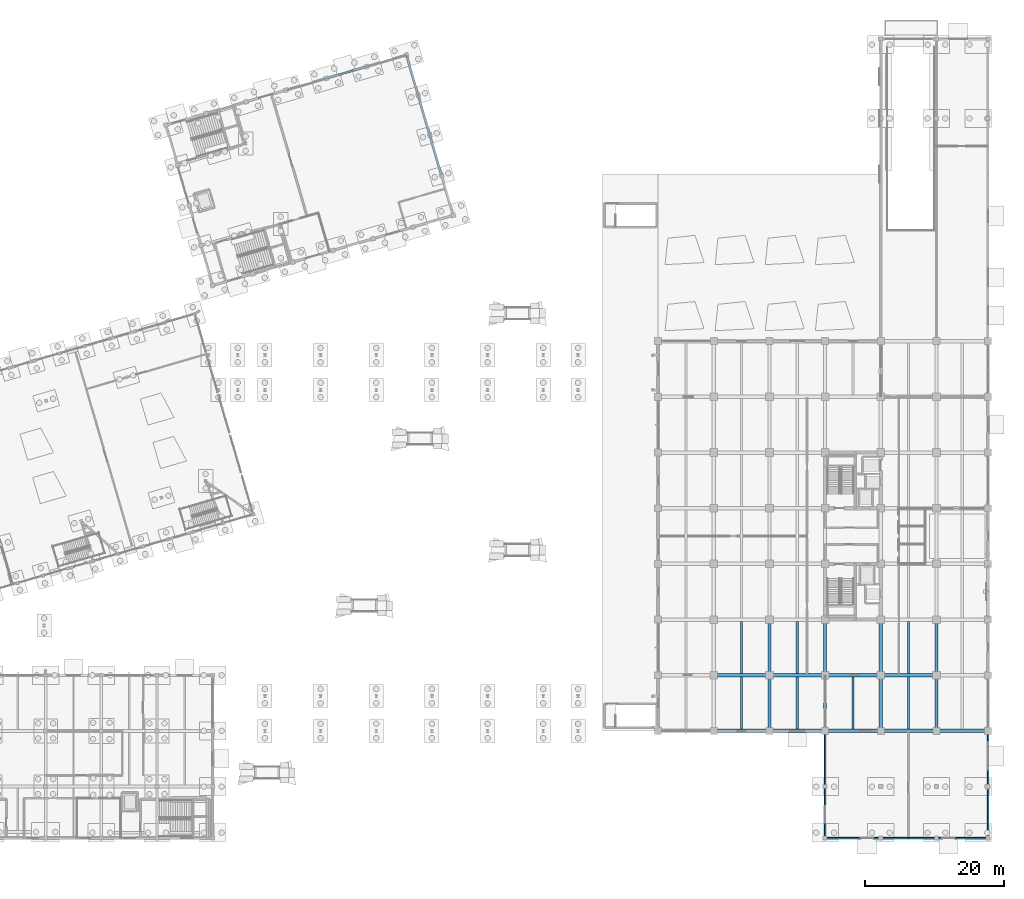
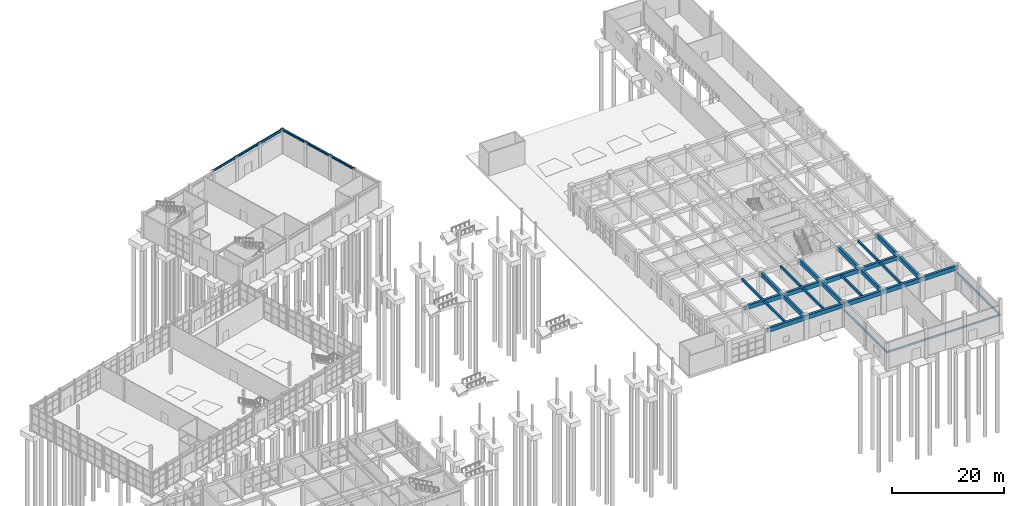
# One storey, part 53 of 90: 34 beams.
"""IFC4 building model written with IfcOpenShell, lengths in metres."""

from ifc_helpers import new_model, si_unit, direction, frame, origin, origin_2d, place, context, subcontext, project, spatial, rectangle, i_section, extrude, material, material_profile, profile_set, type_object, element, save


model = new_model("IFC4")

# Units and contexts
model_context = context("Model", 3, precision=1e-05, world=origin(), true_north=direction((0.0, 1.0)))
body_context = subcontext(model_context, "Body", "Model", "MODEL_VIEW")
ifc_project = project(units=[si_unit("LENGTHUNIT", "METRE"), si_unit("AREAUNIT", "SQUARE_METRE"), si_unit("VOLUMEUNIT", "CUBIC_METRE"), si_unit("PLANEANGLEUNIT", "RADIAN"), si_unit("MASSUNIT", "GRAM", prefix="KILO")], contexts=[model_context])

# Site, building, storey
site_placement = place(None, origin())
site = spatial("IfcSite", under=ifc_project, at=site_placement, CompositionType="ELEMENT")
building_placement = place(site_placement, origin())
building = spatial("IfcBuilding", under=site, at=building_placement, Name="Canggui Botanical Conservatory", CompositionType="ELEMENT")
storey_placement = place(building_placement, origin())
storey = spatial("IfcBuildingStorey", under=building, at=storey_placement, Name="L01", CompositionType="ELEMENT", Elevation=0.0)

# Beams
ifc_material_1 = material(Name="Steel Q355B", Category="steel")
ifc_material_profile_1 = material_profile(ifc_material_1, i_section(OverallWidth=0.300048828125, OverallDepth=0.5, WebThickness=0.010986328125, FlangeThickness=0.01806640625, FilletRadius=0.02392578125, at=origin_2d()), Name="HM 500x300x11x18")
ifc_profile_set_1 = profile_set([ifc_material_profile_1], Name="Steel Q355B")
beam_type_1 = type_object("IfcBeamType", Name="BM-GL01", PredefinedType="BEAM", material=ifc_profile_set_1)
beam_1_placement = place(storey_placement, frame((82.320068359375, 119.760009765625, 5.14990234375), z_axis=(0.960003190047, 0.279989062464, 0.0), x_axis=(-0.279989062464, 0.960003190047, 0.0)))
element("IfcBeam", 1, at=beam_1_placement, inside=storey, type_object=beam_type_1, Name="Auditorium Perimeter Steel Girder 5-1", PredefinedType="BEAM", context=body_context, shape_type="SweptSolid", body=[
    extrude(i_section(OverallWidth=0.300048828125, OverallDepth=0.5, WebThickness=0.010986328125, FlangeThickness=0.01806640625, FilletRadius=0.02392578125, at=origin_2d()), origin(), (0.0, 0.0, 1.0), 6.0),
])
ifc_material_profile_2 = material_profile(ifc_material_1, i_section(OverallWidth=0.300048828125, OverallDepth=0.449951171875, WebThickness=0.010986328125, FlangeThickness=0.01806640625, FilletRadius=0.02392578125, at=origin_2d()), Name="HM 450x300x11x18")
ifc_profile_set_2 = profile_set([ifc_material_profile_2], Name="Steel Q355B")
beam_type_2 = type_object("IfcBeamType", Name="BM-GL02", PredefinedType="BEAM", material=ifc_profile_set_2)
for number, where, z_axis, x_axis, name in (
    (2, (98.8798828125, 105.840087890625, 5.175048828125), (-0.279989062464, 0.960003190047, 0.0), (-0.960003190047, -0.279989062464, 0.0), "Auditorium Stage End Girt Girder E-2"),
    (3, (97.199951171875, 111.60009765625, 5.175048828125), (-0.279989062464, 0.960003190047, 0.0), (-0.960003190047, -0.279989062464, 0.0), "Auditorium Stage End Girt Girder E-3"),
    (4, (95.52001953125, 117.360107421875, 5.175048828125), (-0.279989062464, 0.960003190047, 0.0), (-0.960003190047, -0.279989062464, 0.0), "Auditorium Stage End Girt Girder E-4"),
):
    element("IfcBeam", number, at=place(storey_placement, frame(where, z_axis=z_axis, x_axis=x_axis)), inside=storey, type_object=beam_type_2, Name=name, PredefinedType="BEAM", context=body_context, shape_type="SweptSolid", body=[
        extrude(i_section(OverallWidth=0.300048828125, OverallDepth=0.449951171875, WebThickness=0.010986328125, FlangeThickness=0.01806640625, FilletRadius=0.02392578125, at=origin_2d()), origin(), (0.0, 0.0, 1.0), 6.0),
    ])
ifc_material_profile_3 = material_profile(ifc_material_1, i_section(OverallWidth=0.199951171875, OverallDepth=0.60009765625, WebThickness=0.010986328125, FlangeThickness=0.01708984375, FilletRadius=0.02392578125, at=origin_2d()), Name="HN 600x200x11x17")
ifc_profile_set_3 = profile_set([ifc_material_profile_3], Name="Steel Q355B")
beam_type_3 = type_object("IfcBeamType", Name="BM-GL04", PredefinedType="BEAM", material=ifc_profile_set_3)
beam_2_placement = place(storey_placement, frame((88.080078125, 121.43994140625, 5.10009765625), z_axis=(0.959992252312, 0.280026562133, 0.0), x_axis=(-0.280026562133, 0.959992252312, 0.0)))
element("IfcBeam", 5, at=beam_2_placement, inside=storey, type_object=beam_type_3, Name="Auditorium Perimeter Steel Girder 6-1", PredefinedType="BEAM", context=body_context, shape_type="SweptSolid", body=[
    extrude(i_section(OverallWidth=0.199951171875, OverallDepth=0.60009765625, WebThickness=0.010986328125, FlangeThickness=0.01708984375, FilletRadius=0.02392578125, at=origin_2d()), origin(), (0.0, 0.0, 1.0), 6.0),
])
ifc_material_profile_4 = material_profile(ifc_material_1, i_section(OverallWidth=0.199951171875, OverallDepth=0.5, WebThickness=0.010009765625, FlangeThickness=0.01611328125, FilletRadius=0.02001953125, at=origin_2d()), Name="HN 500x200x10x16")
ifc_profile_set_4 = profile_set([ifc_material_profile_4], Name="Steel Q355B")
beam_type_4 = type_object("IfcBeamType", Name="BM-GL06", PredefinedType="BEAM", material=ifc_profile_set_4)
beam_3_placement = place(storey_placement, frame((76.56005859375, 118.080078125, 5.14990234375), z_axis=(0.960003190047, 0.279989062464, 0.0), x_axis=(-0.279989062464, 0.960003190047, 0.0)))
element("IfcBeam", 6, at=beam_3_placement, inside=storey, type_object=beam_type_4, Name="Auditorium Perimeter Steel Girder 4-1", PredefinedType="BEAM", context=body_context, shape_type="SweptSolid", body=[
    extrude(i_section(OverallWidth=0.199951171875, OverallDepth=0.5, WebThickness=0.010009765625, FlangeThickness=0.01611328125, FilletRadius=0.02001953125, at=origin_2d()), origin(), (0.0, 0.0, 1.0), 6.0),
])
ifc_material_2 = material(Name="Concrete C35", Category="concrete")
ifc_material_profile_5 = material_profile(ifc_material_2, rectangle(XDim=0.300048828125, YDim=0.5, at=origin_2d()), Name="RB 300x500")
ifc_profile_set_5 = profile_set([ifc_material_profile_5], Name="Concrete C35")
beam_type_5 = type_object("IfcBeamType", Name="BM-JST02", PredefinedType="JOIST", material=ifc_profile_set_5)
for number, where, z_axis, x_axis, name in (
    (7, (142.0, 26.2548828125, 4.8701171875), (0.0, 1.0, 0.0), (-1.0, 0.0, 0.0), "Secondary Floor Joist L01-2-1"),
    (8, (142.0, 34.2548828125, 4.8701171875), (0.0, 1.0, 0.0), (-1.0, 0.0, 0.0), "Secondary Floor Joist L01-2-2"),
    (9, (150.0, 26.2548828125, 4.8701171875), (0.0, 1.0, 0.0), (-1.0, 0.0, 0.0), "Secondary Floor Joist L01-3-1"),
    (10, (150.0, 34.2548828125, 4.8701171875), (0.0, 1.0, 0.0), (-1.0, 0.0, 0.0), "Secondary Floor Joist L01-3-2"),
    (11, (158.0, 26.2548828125, 4.8701171875), (0.0, 1.0, 0.0), (-1.0, 0.0, 0.0), "Secondary Floor Joist L01-4-1"),
    (12, (166.0, 26.2548828125, 4.8701171875), (0.0, 1.0, 0.0), (-1.0, 0.0, 0.0), "Secondary Floor Joist L01-5-1"),
    (13, (166.0, 34.2548828125, 4.8701171875), (0.0, 1.0, 0.0), (-1.0, 0.0, 0.0), "Secondary Floor Joist L01-5-2"),
):
    element("IfcBeam", number, at=place(storey_placement, frame(where, z_axis=z_axis, x_axis=x_axis)), inside=storey, type_object=beam_type_5, Name=name, PredefinedType="JOIST", context=body_context, shape_type="SweptSolid", body=[
        extrude(rectangle(XDim=0.300048828125, YDim=0.5, at=origin_2d()), origin(), (0.0, 0.0, 1.0), 7.490234375),
    ])
ifc_material_profile_6 = material_profile(ifc_material_2, rectangle(XDim=0.5, YDim=0.89990234375, at=origin_2d()), Name="RB 500x900")
ifc_profile_set_6 = profile_set([ifc_material_profile_6], Name="Concrete C35")
beam_type_6 = type_object("IfcBeamType", Name="BM-KL03", PredefinedType="BEAM", material=ifc_profile_set_6)
for number, where, z_axis, x_axis, name in (
    (14, (138.0, 26.0, 4.669921875), (1.0, 0.0, 0.0), (0.0, 1.0, 0.0), "Frame Girder L01 Y26-2"),
    (15, (146.0, 26.0, 4.669921875), (1.0, 0.0, 0.0), (0.0, 1.0, 0.0), "Frame Girder L01 Y26-3"),
    (16, (154.0, 26.0, 4.669921875), (1.0, 0.0, 0.0), (0.0, 1.0, 0.0), "Frame Girder L01 Y26-4"),
    (17, (162.0, 26.0, 4.669921875), (1.0, 0.0, 0.0), (0.0, 1.0, 0.0), "Frame Girder L01 Y26-5"),
):
    element("IfcBeam", number, at=place(storey_placement, frame(where, z_axis=z_axis, x_axis=x_axis)), inside=storey, type_object=beam_type_6, Name=name, PredefinedType="BEAM", context=body_context, shape_type="SweptSolid", body=[
        extrude(rectangle(XDim=0.5, YDim=0.89990234375, at=origin_2d()), origin(), (0.0, 0.0, 1.0), 8.0),
    ])
beam_4_placement = place(storey_placement, frame((170.0, 26.0, 4.669921875), z_axis=(1.0, 0.0, 0.0), x_axis=(0.0, 1.0, 0.0)))
element("IfcBeam", 18, at=beam_4_placement, inside=storey, type_object=beam_type_6, Name="Frame Girder L01 Y26-6", PredefinedType="BEAM", context=body_context, shape_type="SweptSolid", body=[
    extrude(rectangle(XDim=0.5, YDim=0.89990234375, at=origin_2d()), origin(), (0.0, 0.0, 1.0), 7.39990234375),
])
for number, where, z_axis, x_axis, name in (
    (19, (138.0, 34.0, 4.669921875), (1.0, 0.0, 0.0), (0.0, 1.0, 0.0), "Frame Girder L01 Y34-2"),
    (20, (146.0, 34.0, 4.669921875), (1.0, 0.0, 0.0), (0.0, 1.0, 0.0), "Frame Girder L01 Y34-3"),
    (21, (154.0, 34.0, 4.669921875), (1.0, 0.0, 0.0), (0.0, 1.0, 0.0), "Frame Girder L01 Y34-4"),
    (22, (162.0, 34.0, 4.669921875), (1.0, 0.0, 0.0), (0.0, 1.0, 0.0), "Frame Girder L01 Y34-5"),
):
    element("IfcBeam", number, at=place(storey_placement, frame(where, z_axis=z_axis, x_axis=x_axis)), inside=storey, type_object=beam_type_6, Name=name, PredefinedType="BEAM", context=body_context, shape_type="SweptSolid", body=[
        extrude(rectangle(XDim=0.5, YDim=0.89990234375, at=origin_2d()), origin(), (0.0, 0.0, 1.0), 8.0),
    ])
ifc_material_profile_7 = material_profile(ifc_material_2, rectangle(XDim=0.449951171875, YDim=0.949951171875, at=origin_2d()), Name="RB 450x950")
ifc_profile_set_7 = profile_set([ifc_material_profile_7], Name="Concrete C35")
beam_type_7 = type_object("IfcBeamType", Name="BM-KL04", PredefinedType="BEAM", material=ifc_profile_set_7)
for number, where, z_axis, x_axis, name in (
    (23, (146.0, 26.0, 4.64501953125), (0.0, 1.0, 0.0), (-1.0, 0.0, 0.0), "Frame Girder L01 X146-1"),
    (24, (146.0, 34.0, 4.64501953125), (0.0, 1.0, 0.0), (-1.0, 0.0, 0.0), "Frame Girder L01 X146-2"),
    (25, (154.0, 26.0, 4.64501953125), (0.0, 1.0, 0.0), (-1.0, 0.0, 0.0), "Frame Girder L01 X154-1"),
    (26, (154.0, 34.0, 4.64501953125), (0.0, 1.0, 0.0), (-1.0, 0.0, 0.0), "Frame Girder L01 X154-2"),
    (27, (162.0, 26.0, 4.64501953125), (0.0, 1.0, 0.0), (-1.0, 0.0, 0.0), "Frame Girder L01 X162-1"),
    (28, (162.0, 34.0, 4.64501953125), (0.0, 1.0, 0.0), (-1.0, 0.0, 0.0), "Frame Girder L01 X162-2"),
    (29, (170.0, 26.0, 4.64501953125), (0.0, 1.0, 0.0), (-1.0, 0.0, 0.0), "Frame Girder L01 X170-1"),
    (30, (170.0, 34.0, 4.64501953125), (0.0, 1.0, 0.0), (-1.0, 0.0, 0.0), "Frame Girder L01 X170-2"),
):
    element("IfcBeam", number, at=place(storey_placement, frame(where, z_axis=z_axis, x_axis=x_axis)), inside=storey, type_object=beam_type_7, Name=name, PredefinedType="BEAM", context=body_context, shape_type="SweptSolid", body=[
        extrude(rectangle(XDim=0.449951171875, YDim=0.949951171875, at=origin_2d()), origin(), (0.0, 0.0, 1.0), 8.0),
    ])
ifc_material_profile_8 = material_profile(ifc_material_2, rectangle(XDim=0.239990234375, YDim=0.360107421875, at=origin_2d()), Name="RB 240x360")
ifc_profile_set_8 = profile_set([ifc_material_profile_8], Name="Concrete C35")
beam_type_8 = type_object("IfcBeamType", Name="BM-LIN01", PredefinedType="LINTEL", material=ifc_profile_set_8)
beam_5_placement = place(storey_placement, frame((154.0, 10.60009765625, 3.550048828125), z_axis=(1.0, 0.0, 0.0), x_axis=(0.0, 1.0, 0.0)))
element("IfcBeam", 31, at=beam_5_placement, inside=storey, type_object=beam_type_8, Name="Colonnade Portal Lintel QL-07", PredefinedType="LINTEL", context=body_context, shape_type="SweptSolid", body=[
    extrude(rectangle(XDim=0.239990234375, YDim=0.360107421875, at=origin_2d()), origin(), (0.0, 0.0, 1.0), 12.0),
])
beam_6_placement = place(storey_placement, frame((166.0, 10.60009765625, 3.550048828125), z_axis=(1.0, 0.0, 0.0), x_axis=(0.0, 1.0, 0.0)))
element("IfcBeam", 32, at=beam_6_placement, inside=storey, type_object=beam_type_8, Name="Colonnade Portal Lintel QL-08", PredefinedType="LINTEL", context=body_context, shape_type="SweptSolid", body=[
    extrude(rectangle(XDim=0.239990234375, YDim=0.360107421875, at=origin_2d()), origin(), (0.0, 0.0, 1.0), 11.39990234375),
])
for number, where, z_axis, x_axis, name in (
    (33, (177.39990234375, 10.60009765625, 3.550048828125), (0.0, 1.0, 0.0), (-1.0, 0.0, 0.0), "Colonnade Portal Lintel QL-09"),
    (34, (154.0, 10.60009765625, 3.550048828125), (0.0, 1.0, 0.0), (-1.0, 0.0, 0.0), "Colonnade Portal Lintel QL-10"),
):
    element("IfcBeam", number, at=place(storey_placement, frame(where, z_axis=z_axis, x_axis=x_axis)), inside=storey, type_object=beam_type_8, Name=name, PredefinedType="LINTEL", context=body_context, shape_type="SweptSolid", body=[
        extrude(rectangle(XDim=0.239990234375, YDim=0.360107421875, at=origin_2d()), origin(), (0.0, 0.0, 1.0), 15.39990234375),
    ])

save(model, "model.ifc")
